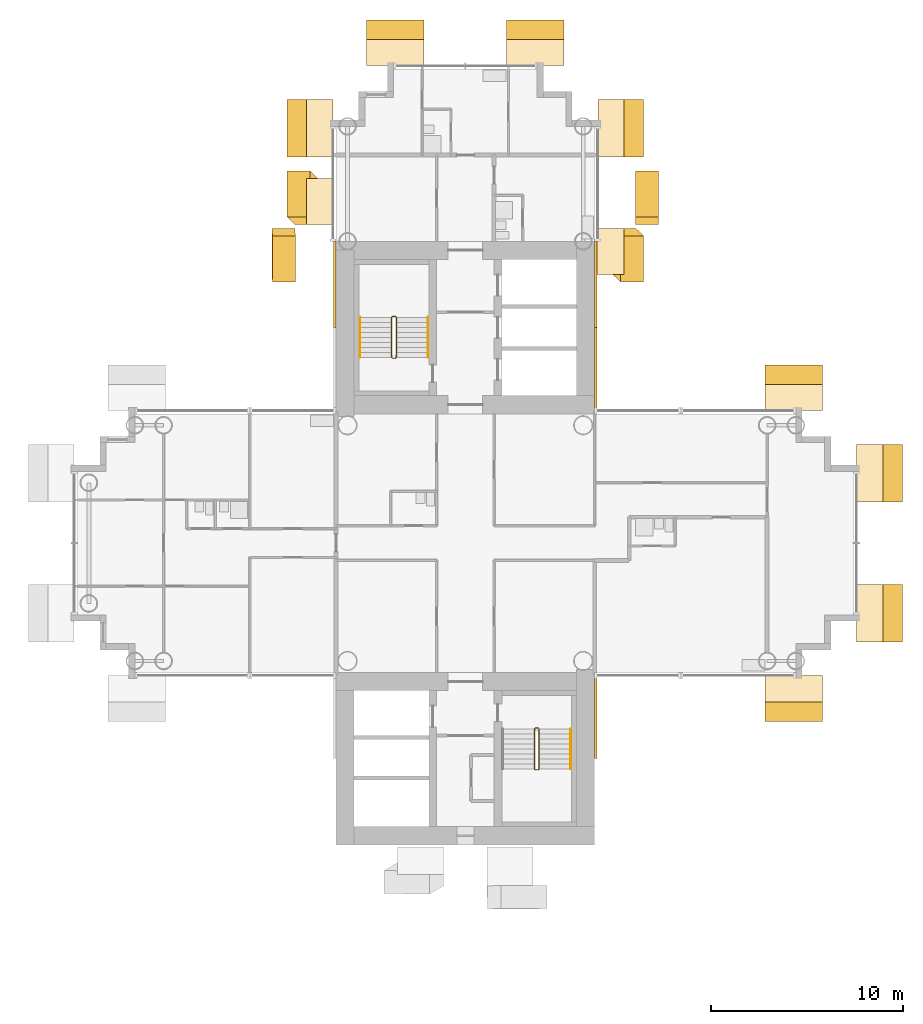
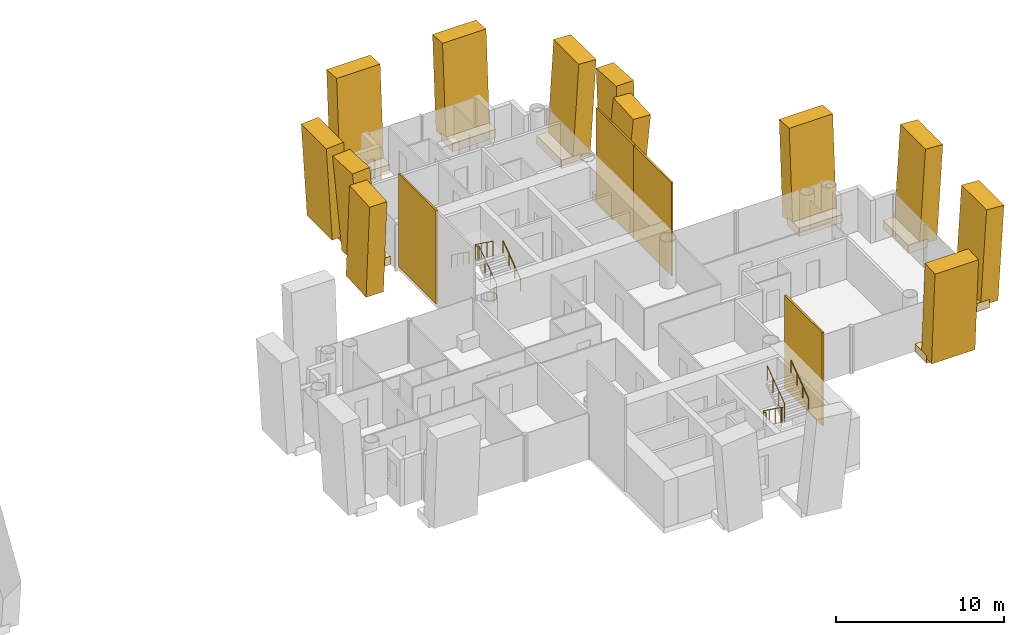
# One storey, part 20 of 21: 26 coverings, 5 railings.
"""IFC4 building model written with IfcOpenShell, lengths in metres."""

from ifc_helpers import new_model, si_unit, direction, frame, origin, origin_2d, place, context, subcontext, project, spatial, rectangle, circle, extrude, material, layer, layer_set, material_profile, profile_set, type_object, element, save


model = new_model("IFC4")

# Units and contexts
model_context = context("Model", 3, precision=1e-05, world=origin(), true_north=direction((0.0, 1.0)))
body_context = subcontext(model_context, "Body", "Model", "MODEL_VIEW")
ifc_project = project(units=[si_unit("LENGTHUNIT", "METRE"), si_unit("AREAUNIT", "SQUARE_METRE"), si_unit("VOLUMEUNIT", "CUBIC_METRE"), si_unit("PLANEANGLEUNIT", "RADIAN"), si_unit("MASSUNIT", "GRAM", prefix="KILO")], contexts=[model_context])

# Site, building, storey
site_placement = place(None, origin())
site = spatial("IfcSite", under=ifc_project, at=site_placement, CompositionType="ELEMENT")
building_placement = place(site_placement, origin())
building = spatial("IfcBuilding", under=site, at=building_placement, Name="Ipe Terrace Towers", CompositionType="ELEMENT")
storey_placement = place(building_placement, frame((0.0, 0.0, 114.0)))
storey = spatial("IfcBuildingStorey", under=building, at=storey_placement, Name="L31", CompositionType="ELEMENT", Elevation=114.0)

# Coverings
ifc_material_1 = material(Name="Concrete C50/60 precast, buff finish", Category="concrete")
ifc_layer = layer(ifc_material_1, 0.1201171875)
ifc_layer_set = layer_set([ifc_layer], Name="STONE CORE CLADDING 120")
covering_type_1 = type_object("IfcCoveringType", Name="STONE CORE CLADDING 120", PredefinedType="CLADDING", material=ifc_layer_set)
covering_1_placement = place(storey_placement, frame((29.18994140625, 13.5, 0.0), z_axis=(0.0, 0.0, 1.0), x_axis=(0.0, -1.0, 0.0)))
element("IfcCovering", 1, at=covering_1_placement, inside=storey, type_object=covering_type_1, Name="stone core cladding", PredefinedType="CLADDING", context=body_context, shape_type="SweptSolid", body=[
    extrude(rectangle(XDim=4.5009765625, YDim=0.1201171875, at=origin_2d()), origin(), (0.0, 0.0, 1.0), 6.800048828125),
])
for number, where, z_axis, x_axis, name in (
    (2, (42.81005859375, -9.0, 0.0), (0.0, 0.0, 1.0), (0.0, 1.0, 0.0), "stone core cladding"),
    (3, (42.81005859375, 9.0, 0.0), (0.0, 0.0, 1.0), (0.0, 1.0, 0.0), "stone core cladding"),
):
    element("IfcCovering", number, at=place(storey_placement, frame(where, z_axis=z_axis, x_axis=x_axis)), inside=storey, type_object=covering_type_1, Name=name, PredefinedType="CLADDING", context=body_context, shape_type="SweptSolid", body=[
        extrude(rectangle(XDim=4.5, YDim=0.1201171875, at=origin_2d()), origin(), (0.0, 0.0, 1.0), 6.800048828125),
    ])
covering_2_placement = place(storey_placement, frame((42.81005859375, 13.5, 0.0), z_axis=(0.0, 0.0, 1.0), x_axis=(0.0, 1.0, 0.0)))
element("IfcCovering", 4, at=covering_2_placement, inside=storey, type_object=covering_type_1, Name="stone core cladding", PredefinedType="CLADDING", context=body_context, shape_type="SweptSolid", body=[
    extrude(rectangle(XDim=4.5009765625, YDim=0.1201171875, at=origin_2d()), origin(), (0.0, 0.0, 1.0), 6.800048828125),
])
ifc_material_2 = material(Name="Concrete C50/60 precast, buff finish", Category="concrete")
ifc_material_profile_1 = material_profile(ifc_material_2, rectangle(XDim=2.39990234375, YDim=1.199951171875, at=origin_2d()), Name="STONE FIN 2400 x 1200")
ifc_profile_set_1 = profile_set([ifc_material_profile_1], Name="Concrete C50/60 precast, buff finish")
covering_type_2 = type_object("IfcCoveringType", Name="STONE FIN 2400 x 1200", PredefinedType="USERDEFINED", material=ifc_profile_set_1)
covering_3_placement = place(storey_placement, frame((26.511962890625, 15.23095703125, 0.0), z_axis=(0.00189964116, -0.057992818801, 0.998315192878), x_axis=(-0.000110351273, -0.99831700024, -0.057992713811)))
element("IfcCovering", 5, at=covering_3_placement, inside=storey, type_object=covering_type_2, Name="stone fin", ObjectType="FIN", PredefinedType="USERDEFINED", context=body_context, shape_type="SweptSolid", body=[
    extrude(rectangle(XDim=2.39990234375, YDim=1.199951171875, at=origin_2d()), origin(), (0.0, 0.0, 1.0), 6.8115234375),
])
for number, where, z_axis, x_axis, name in (
    (6, (27.7119140625, 17.819091796875, 0.0), (-0.060640977599, 0.057886195725, 0.996479733954), (-0.003516171448, -0.998323188324, 0.057779305931), "stone fin"),
    (7, (44.2880859375, 15.23095703125, 0.0), (0.060640977599, -0.057886195725, 0.996479733954), (0.003516171448, 0.998323188324, 0.057779305931), "stone fin"),
):
    element("IfcCovering", number, at=place(storey_placement, frame(where, z_axis=z_axis, x_axis=x_axis)), inside=storey, type_object=covering_type_2, Name=name, ObjectType="FIN", PredefinedType="USERDEFINED", context=body_context, shape_type="SweptSolid", body=[
        extrude(rectangle(XDim=2.39990234375, YDim=1.199951171875, at=origin_2d()), origin(), (0.0, 0.0, 1.0), 6.823974609375),
    ])
covering_4_placement = place(storey_placement, frame((45.488037109375, 17.819091796875, 0.0), z_axis=(-0.00189964116, 0.057992818801, 0.998315192878), x_axis=(0.000110351273, 0.99831700024, -0.057992713811)))
element("IfcCovering", 8, at=covering_4_placement, inside=storey, type_object=covering_type_2, Name="stone fin", ObjectType="FIN", PredefinedType="USERDEFINED", context=body_context, shape_type="SweptSolid", body=[
    extrude(rectangle(XDim=2.39990234375, YDim=1.199951171875, at=origin_2d()), origin(), (0.0, 0.0, 1.0), 6.8115234375),
])
ifc_material_3 = material(Name="Concrete C50/60 precast, buff finish", Category="concrete")
ifc_material_profile_2 = material_profile(ifc_material_3, rectangle(XDim=3.0, YDim=1.199951171875, at=origin_2d()), Name="STONE FIN CORNER 3000 x 1200")
ifc_profile_set_2 = profile_set([ifc_material_profile_2], Name="Concrete C50/60 precast, buff finish")
covering_type_3 = type_object("IfcCoveringType", Name="STONE FIN CORNER 3000 x 1200", PredefinedType="USERDEFINED", material=ifc_profile_set_2)
for number, where, z_axis, x_axis, name in (
    (9, (27.7119140625, 21.64990234375, 0.0), (-0.060742831888, 0.0, 0.998153449312), (0.0, -1.0, 0.0), "stone fin"),
    (10, (32.35009765625, 26.2880859375, 0.0), (0.0, 0.060742831888, 0.998153449312), (-1.0, 0.0, 0.0), "stone fin"),
    (11, (39.64990234375, 26.2880859375, 0.0), (0.0, 0.060742831888, 0.998153449312), (-1.0, 0.0, 0.0), "stone fin"),
    (12, (44.2880859375, 21.64990234375, 0.0), (0.060742831888, 0.0, 0.998153449312), (0.0, 1.0, 0.0), "stone fin"),
    (13, (53.14990234375, -8.2880859375, 0.0), (0.0, -0.060742831888, 0.998153449312), (1.0, 0.0, 0.0), "stone fin"),
    (14, (53.14990234375, 8.2880859375, 0.0), (0.0, 0.060742831888, 0.998153449312), (-1.0, 0.0, 0.0), "stone fin"),
    (15, (57.7880859375, -3.64990234375, 0.0), (0.060742831888, 0.0, 0.998153449312), (0.0, 1.0, 0.0), "stone fin"),
    (16, (57.7880859375, 3.64990234375, 0.0), (0.060742831888, 0.0, 0.998153449312), (0.0, 1.0, 0.0), "stone fin"),
):
    element("IfcCovering", number, at=place(storey_placement, frame(where, z_axis=z_axis, x_axis=x_axis)), inside=storey, type_object=covering_type_3, Name=name, ObjectType="FIN", PredefinedType="USERDEFINED", context=body_context, shape_type="SweptSolid", body=[
        extrude(rectangle(XDim=3.0, YDim=1.199951171875, at=origin_2d()), origin(), (0.0, 0.0, 1.0), 6.812744140625),
    ])
ifc_material_4 = material(Name="Concrete C50/60 precast, buff finish", Category="concrete")
covering_type_4 = type_object("IfcCoveringType", Name="STONE FIN SHELF 2400 x 600", PredefinedType="CLADDING", material=ifc_material_4)
covering_5_placement = place(storey_placement, frame((28.39794921875, 17.819091796875, -0.35009765625), z_axis=(0.0, 0.0, 1.0), x_axis=(0.0, -1.0, 0.0)))
element("IfcCovering", 17, at=covering_5_placement, inside=storey, type_object=covering_type_4, Name="stone fin shelf", PredefinedType="CLADDING", context=body_context, shape_type="SweptSolid", body=[
    extrude(rectangle(XDim=2.39990234375, YDim=1.3720703125, at=origin_2d()), origin(), (0.0, 0.0, 1.0), 0.60009765625),
])
covering_6_placement = place(storey_placement, frame((43.573974609375, 15.23095703125, -0.35009765625), z_axis=(0.0, 0.0, 1.0), x_axis=(0.0, 1.0, 0.0)))
element("IfcCovering", 18, at=covering_6_placement, inside=storey, type_object=covering_type_4, Name="stone fin shelf", PredefinedType="CLADDING", context=body_context, shape_type="SweptSolid", body=[
    extrude(rectangle(XDim=2.39990234375, YDim=1.427978515625, at=origin_2d()), origin(), (0.0, 0.0, 1.0), 0.60009765625),
])
ifc_material_5 = material(Name="Concrete C50/60 precast, buff finish", Category="concrete")
covering_type_5 = type_object("IfcCoveringType", Name="STONE FIN SHELF 3000 x 600", PredefinedType="CLADDING", material=ifc_material_5)
for number, where, z_axis, x_axis, name in (
    (19, (28.39794921875, 21.64990234375, -0.35009765625), (0.0, 0.0, 1.0), (0.0, -1.0, 0.0), "stone fin shelf"),
    (20, (32.35009765625, 25.60205078125, -0.35009765625), (0.0, 0.0, 1.0), (-1.0, 0.0, 0.0), "stone fin shelf"),
    (21, (39.64990234375, 25.60205078125, -0.35009765625), (0.0, 0.0, 1.0), (-1.0, 0.0, 0.0), "stone fin shelf"),
    (22, (43.60205078125, 21.64990234375, -0.35009765625), (0.0, 0.0, 1.0), (0.0, 1.0, 0.0), "stone fin shelf"),
    (23, (53.14990234375, -7.60205078125, -0.35009765625), (0.0, 0.0, 1.0), (1.0, 0.0, 0.0), "stone fin shelf"),
    (24, (53.14990234375, 7.60205078125, -0.35009765625), (0.0, 0.0, 1.0), (-1.0, 0.0, 0.0), "stone fin shelf"),
    (25, (57.10205078125, -3.64990234375, -0.35009765625), (0.0, 0.0, 1.0), (0.0, 1.0, 0.0), "stone fin shelf"),
    (26, (57.10205078125, 3.64990234375, -0.35009765625), (0.0, 0.0, 1.0), (0.0, 1.0, 0.0), "stone fin shelf"),
):
    element("IfcCovering", number, at=place(storey_placement, frame(where, z_axis=z_axis, x_axis=x_axis)), inside=storey, type_object=covering_type_5, Name=name, PredefinedType="CLADDING", context=body_context, shape_type="SweptSolid", body=[
        extrude(rectangle(XDim=3.0, YDim=1.3720703125, at=origin_2d()), origin(), (0.0, 0.0, 1.0), 0.60009765625),
    ])

# Railings
ifc_material_6 = material(Name="Steel S355", Category="steel")
railing_type_1 = type_object("IfcRailingType", Name="Stair guard 1100", PredefinedType="GUARDRAIL", material=ifc_material_6)
railing_1_placement = place(storey_placement, frame((32.199951171875, 9.64990234375, 0.0)))
element("IfcRailing", 27, at=railing_1_placement, inside=storey, type_object=railing_type_1, Name="L31 T2-ST1 stair guard 1", PredefinedType="GUARDRAIL", context=body_context, shape_type="SweptSolid", body=[
    extrude(circle(Radius=0.02392578125, at=origin_2d()), frame((0.0, 0.0, 1.076171875), z_axis=(1.0, 0.0, 0.0), x_axis=(0.0, 1.0, 0.0)), (0.0, 0.0, 1.0), 0.150146484375),
    extrude(circle(Radius=0.02392578125, at=origin_2d()), frame((0.150146484375, 0.0, 1.076171875), z_axis=(0.246893586699, 0.248103849378, 0.936743314239), x_axis=(-0.708833529934, 0.705375805398, 0.0)), (0.0, 0.0, 1.0), 0.20166015625),
    extrude(circle(Radius=0.02392578125, at=origin_2d()), frame((0.199951171875, 0.050048828125, 1.26513671875), z_axis=(0.0, 0.809068575486, 0.587714250432), x_axis=(-1.0, 0.0, 0.0)), (0.0, 0.0, 1.0), 2.571044921875),
    extrude(circle(Radius=0.02392578125, at=origin_2d()), frame((0.199951171875, 2.130126953125, 2.77587890625), z_axis=(-0.705375805398, 0.708833529934, 0.0), x_axis=(-0.708833529934, -0.705375805398, 0.0)), (0.0, 0.0, 1.0), 0.070556640625),
    extrude(circle(Radius=0.02392578125, at=origin_2d()), frame((0.150146484375, 2.18017578125, 2.77587890625), z_axis=(-1.0, 0.0, 0.0), x_axis=(0.0, -1.0, 0.0)), (0.0, 0.0, 1.0), 0.150146484375),
    extrude(circle(Radius=0.02392578125, at=origin_2d()), frame((0.0, 2.18017578125, 2.77587890625), z_axis=(-0.248029566107, -0.248029566107, 0.936462849596), x_axis=(0.707106781187, -0.707106781187, 0.0)), (0.0, 0.0, 1.0), 0.201904296875),
    extrude(circle(Radius=0.02392578125, at=origin_2d()), frame((-0.050048828125, 2.130126953125, 2.96484375), z_axis=(0.0, -0.809068575486, 0.587714250432), x_axis=(1.0, 0.0, 0.0)), (0.0, 0.0, 1.0), 2.571044921875),
    extrude(circle(Radius=0.02099609375, at=origin_2d()), origin(), (0.0, 0.0, 1.0), 1.052001953125),
    extrude(circle(Radius=0.02099609375, at=origin_2d()), frame((0.150146484375, 0.0, 0.0)), (0.0, 0.0, 1.0), 1.052001953125),
    extrude(circle(Radius=0.02099609375, at=origin_2d()), frame((0.199951171875, 0.050048828125, 0.18896484375)), (0.0, 0.0, 1.0), 1.052001953125),
    extrude(circle(Radius=0.02099609375, at=origin_2d()), frame((0.199951171875, 0.743408203125, 0.692626953125)), (0.0, 0.0, 1.0), 1.052001953125),
    extrude(circle(Radius=0.02099609375, at=origin_2d()), frame((0.199951171875, 1.436767578125, 1.1962890625)), (0.0, 0.0, 1.0), 1.052001953125),
    extrude(circle(Radius=0.02099609375, at=origin_2d()), frame((0.199951171875, 2.130126953125, 1.699951171875)), (0.0, 0.0, 1.0), 1.052001953125),
    extrude(circle(Radius=0.02099609375, at=origin_2d()), frame((0.150146484375, 2.18017578125, 1.699951171875)), (0.0, 0.0, 1.0), 1.052001953125),
    extrude(circle(Radius=0.02099609375, at=origin_2d()), frame((0.0, 2.18017578125, 1.699951171875)), (0.0, 0.0, 1.0), 1.052001953125),
    extrude(circle(Radius=0.02099609375, at=origin_2d()), frame((-0.050048828125, 2.130126953125, 1.888916015625)), (0.0, 0.0, 1.0), 1.052001953125),
    extrude(circle(Radius=0.02099609375, at=origin_2d()), frame((-0.050048828125, 1.436767578125, 2.392578125)), (0.0, 0.0, 1.0), 1.052001953125),
    extrude(circle(Radius=0.02099609375, at=origin_2d()), frame((-0.050048828125, 0.743408203125, 2.896240234375)), (0.0, 0.0, 1.0), 1.052001953125),
    extrude(circle(Radius=0.02099609375, at=origin_2d()), frame((-0.050048828125, 0.050048828125, 3.39990234375)), (0.0, 0.0, 1.0), 1.052001953125),
])
railing_2_placement = place(storey_placement, frame((39.800048828125, -9.64990234375, 0.0)))
element("IfcRailing", 28, at=railing_2_placement, inside=storey, type_object=railing_type_1, Name="L31 T2-ST2 stair guard 1", PredefinedType="GUARDRAIL", context=body_context, shape_type="SweptSolid", body=[
    extrude(circle(Radius=0.02392578125, at=origin_2d()), frame((0.0, 0.0, 1.076171875), z_axis=(-1.0, 0.0, 0.0), x_axis=(0.0, -1.0, 0.0)), (0.0, 0.0, 1.0), 0.150146484375),
    extrude(circle(Radius=0.02392578125, at=origin_2d()), frame((-0.150146484375, 0.0, 1.076171875), z_axis=(-0.246893586699, -0.248103849378, 0.936743314239), x_axis=(0.708833529934, -0.705375805398, 0.0)), (0.0, 0.0, 1.0), 0.20166015625),
    extrude(circle(Radius=0.02392578125, at=origin_2d()), frame((-0.199951171875, -0.050048828125, 1.26513671875), z_axis=(0.0, -0.809068575486, 0.587714250432), x_axis=(1.0, 0.0, 0.0)), (0.0, 0.0, 1.0), 2.571044921875),
    extrude(circle(Radius=0.02392578125, at=origin_2d()), frame((-0.199951171875, -2.130126953125, 2.77587890625), z_axis=(0.705375805398, -0.708833529934, 0.0), x_axis=(0.708833529934, 0.705375805398, 0.0)), (0.0, 0.0, 1.0), 0.070556640625),
    extrude(circle(Radius=0.02392578125, at=origin_2d()), frame((-0.150146484375, -2.18017578125, 2.77587890625), z_axis=(1.0, 0.0, 0.0), x_axis=(0.0, 1.0, 0.0)), (0.0, 0.0, 1.0), 0.150146484375),
    extrude(circle(Radius=0.02392578125, at=origin_2d()), frame((0.0, -2.18017578125, 2.77587890625), z_axis=(0.248029566107, 0.248029566107, 0.936462849596), x_axis=(-0.707106781187, 0.707106781187, 0.0)), (0.0, 0.0, 1.0), 0.201904296875),
    extrude(circle(Radius=0.02392578125, at=origin_2d()), frame((0.050048828125, -2.130126953125, 2.96484375), z_axis=(0.0, 0.809068575486, 0.587714250432), x_axis=(-1.0, 0.0, 0.0)), (0.0, 0.0, 1.0), 2.571044921875),
    extrude(circle(Radius=0.02099609375, at=origin_2d()), origin(), (0.0, 0.0, 1.0), 1.052001953125),
    extrude(circle(Radius=0.02099609375, at=origin_2d()), frame((-0.150146484375, 0.0, 0.0)), (0.0, 0.0, 1.0), 1.052001953125),
    extrude(circle(Radius=0.02099609375, at=origin_2d()), frame((-0.199951171875, -0.050048828125, 0.18896484375)), (0.0, 0.0, 1.0), 1.052001953125),
    extrude(circle(Radius=0.02099609375, at=origin_2d()), frame((-0.199951171875, -0.743408203125, 0.692626953125)), (0.0, 0.0, 1.0), 1.052001953125),
    extrude(circle(Radius=0.02099609375, at=origin_2d()), frame((-0.199951171875, -1.436767578125, 1.1962890625)), (0.0, 0.0, 1.0), 1.052001953125),
    extrude(circle(Radius=0.02099609375, at=origin_2d()), frame((-0.199951171875, -2.130126953125, 1.699951171875)), (0.0, 0.0, 1.0), 1.052001953125),
    extrude(circle(Radius=0.02099609375, at=origin_2d()), frame((-0.150146484375, -2.18017578125, 1.699951171875)), (0.0, 0.0, 1.0), 1.052001953125),
    extrude(circle(Radius=0.02099609375, at=origin_2d()), frame((0.0, -2.18017578125, 1.699951171875)), (0.0, 0.0, 1.0), 1.052001953125),
    extrude(circle(Radius=0.02099609375, at=origin_2d()), frame((0.050048828125, -2.130126953125, 1.888916015625)), (0.0, 0.0, 1.0), 1.052001953125),
    extrude(circle(Radius=0.02099609375, at=origin_2d()), frame((0.050048828125, -1.436767578125, 2.392578125)), (0.0, 0.0, 1.0), 1.052001953125),
    extrude(circle(Radius=0.02099609375, at=origin_2d()), frame((0.050048828125, -0.743408203125, 2.896240234375)), (0.0, 0.0, 1.0), 1.052001953125),
    extrude(circle(Radius=0.02099609375, at=origin_2d()), frame((0.050048828125, -0.050048828125, 3.39990234375)), (0.0, 0.0, 1.0), 1.052001953125),
])
ifc_material_7 = material(Name="Stainless steel grade 304", Category="steel")
railing_type_2 = type_object("IfcRailingType", Name="Stair handrail 900", PredefinedType="HANDRAIL", material=ifc_material_7)
railing_3_placement = place(storey_placement, frame((34.050048828125, 9.699951171875, 0.18896484375)))
element("IfcRailing", 29, at=railing_3_placement, inside=storey, type_object=railing_type_2, Name="L31 T2-ST1 stair handrail 1", PredefinedType="HANDRAIL", context=body_context, shape_type="SweptSolid", body=[
    extrude(circle(Radius=0.02392578125, at=origin_2d()), frame((0.0, 0.0, 0.8759765625), z_axis=(0.0, 0.809068575486, 0.587714250432), x_axis=(-1.0, 0.0, 0.0)), (0.0, 0.0, 1.0), 2.571044921875),
    extrude(circle(Radius=0.02099609375, at=origin_2d()), origin(), (0.0, 0.0, 1.0), 0.851806640625),
    extrude(circle(Radius=0.02099609375, at=origin_2d()), frame((0.0, 0.693359375, 0.503662109375)), (0.0, 0.0, 1.0), 0.851806640625),
    extrude(circle(Radius=0.02099609375, at=origin_2d()), frame((0.0, 1.38671875, 1.00732421875)), (0.0, 0.0, 1.0), 0.851806640625),
    extrude(circle(Radius=0.02099609375, at=origin_2d()), frame((0.0, 2.080078125, 1.510986328125)), (0.0, 0.0, 1.0), 0.851806640625),
])
railing_4_placement = place(storey_placement, frame((30.5, 11.780029296875, 1.888916015625)))
element("IfcRailing", 30, at=railing_4_placement, inside=storey, type_object=railing_type_2, Name="L31 T2-ST1 stair handrail 2", PredefinedType="HANDRAIL", context=body_context, shape_type="SweptSolid", body=[
    extrude(circle(Radius=0.02392578125, at=origin_2d()), frame((0.0, 0.0, 0.8759765625), z_axis=(0.0, -0.809068575486, 0.587714250432), x_axis=(1.0, 0.0, 0.0)), (0.0, 0.0, 1.0), 2.571044921875),
    extrude(circle(Radius=0.02099609375, at=origin_2d()), origin(), (0.0, 0.0, 1.0), 0.851806640625),
    extrude(circle(Radius=0.02099609375, at=origin_2d()), frame((0.0, -0.693359375, 0.503662109375)), (0.0, 0.0, 1.0), 0.851806640625),
    extrude(circle(Radius=0.02099609375, at=origin_2d()), frame((0.0, -1.38671875, 1.00732421875)), (0.0, 0.0, 1.0), 0.851806640625),
    extrude(circle(Radius=0.02099609375, at=origin_2d()), frame((0.0, -2.080078125, 1.510986328125)), (0.0, 0.0, 1.0), 0.851806640625),
])
railing_5_placement = place(storey_placement, frame((41.5, -11.780029296875, 1.888916015625)))
element("IfcRailing", 31, at=railing_5_placement, inside=storey, type_object=railing_type_2, Name="L31 T2-ST2 stair handrail 2", PredefinedType="HANDRAIL", context=body_context, shape_type="SweptSolid", body=[
    extrude(circle(Radius=0.02392578125, at=origin_2d()), frame((0.0, 0.0, 0.8759765625), z_axis=(0.0, 0.809068575486, 0.587714250432), x_axis=(-1.0, 0.0, 0.0)), (0.0, 0.0, 1.0), 2.571044921875),
    extrude(circle(Radius=0.02099609375, at=origin_2d()), origin(), (0.0, 0.0, 1.0), 0.851806640625),
    extrude(circle(Radius=0.02099609375, at=origin_2d()), frame((0.0, 0.693359375, 0.503662109375)), (0.0, 0.0, 1.0), 0.851806640625),
    extrude(circle(Radius=0.02099609375, at=origin_2d()), frame((0.0, 1.38671875, 1.00732421875)), (0.0, 0.0, 1.0), 0.851806640625),
    extrude(circle(Radius=0.02099609375, at=origin_2d()), frame((0.0, 2.080078125, 1.510986328125)), (0.0, 0.0, 1.0), 0.851806640625),
])

save(model, "model.ifc")
